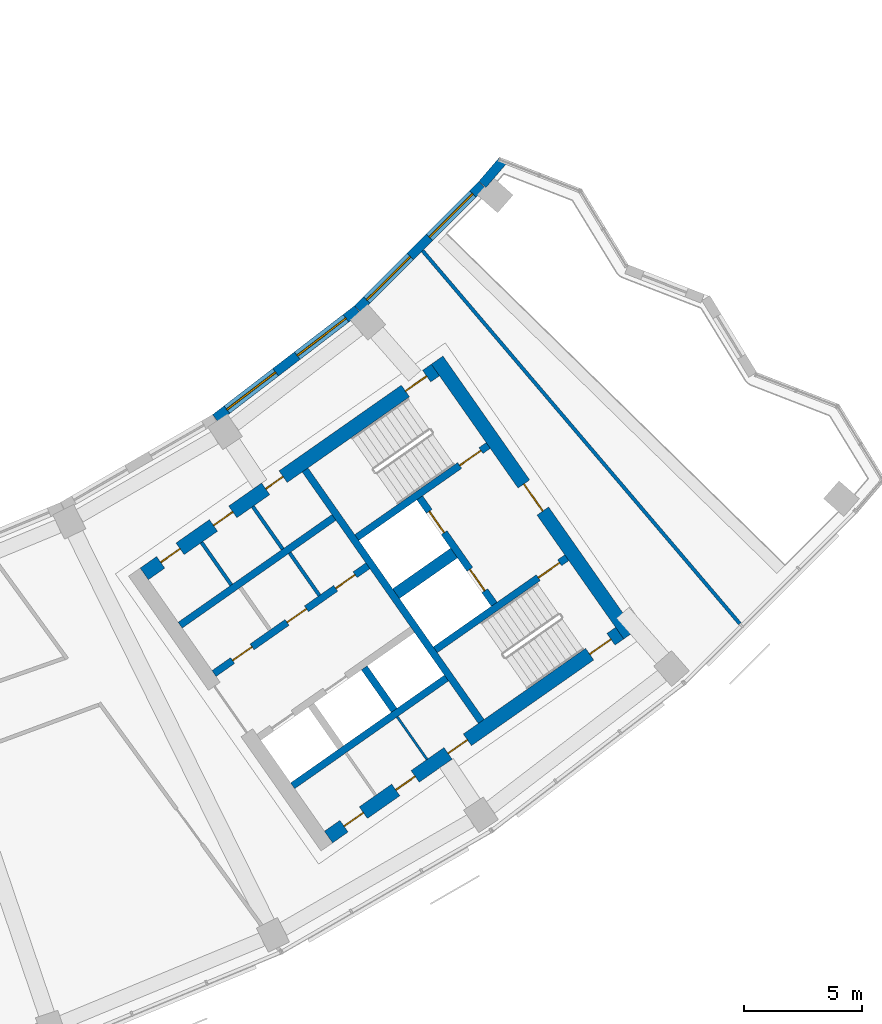
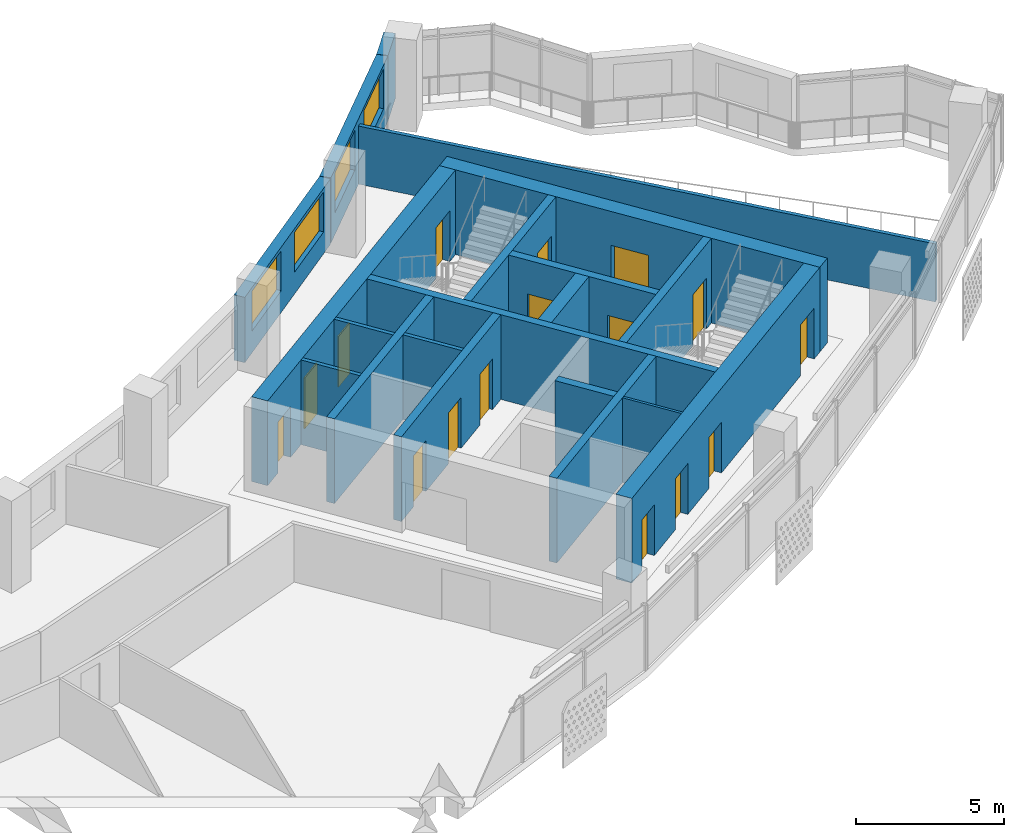
# One storey, part 7 of 29: 20 walls, 16 doors, 4 windows, 20 openings.
"""IFC4 building model written with IfcOpenShell, lengths in metres."""

from ifc_helpers import new_model, si_unit, direction, frame, frame_2d, origin, place, context, subcontext, project, spatial, rectangle, extrude, material, layer, layer_set, type_object, element, fill, save


model = new_model("IFC4")

# Units and contexts
model_context = context("Model", 3, precision=1e-05, world=origin(), true_north=direction((0.0, 1.0)))
body_context = subcontext(model_context, "Body", "Model", "MODEL_VIEW")
ifc_project = project(units=[si_unit("LENGTHUNIT", "METRE"), si_unit("AREAUNIT", "SQUARE_METRE"), si_unit("VOLUMEUNIT", "CUBIC_METRE"), si_unit("PLANEANGLEUNIT", "RADIAN"), si_unit("MASSUNIT", "GRAM", prefix="KILO")], contexts=[model_context])

# Site, building, storey
site_placement = place(None, origin())
site = spatial("IfcSite", under=ifc_project, at=site_placement, CompositionType="ELEMENT")
building_placement = place(site_placement, origin())
building = spatial("IfcBuilding", under=site, at=building_placement, Name="Qamariyya Broadcast Tower", CompositionType="ELEMENT")
storey_placement = place(building_placement, frame((0.0, 0.0, 207.5)))
storey = spatial("IfcBuildingStorey", under=building, at=storey_placement, Name="L49", CompositionType="ELEMENT", Elevation=207.5)

# Wall, opening, door
ifc_material_1 = material(Name="Concrete C60/75", Category="concrete")
ifc_layer_1 = layer(ifc_material_1, 0.60009765625)
ifc_layer_set_1 = layer_set([ifc_layer_1], Name="Core wall 600 mm Concrete C60/75")
wall_type_1 = type_object("IfcWallType", Name="Core wall 600 mm Concrete C60/75", PredefinedType="SHEAR", material=ifc_layer_set_1)
wall_1_placement = place(storey_placement, frame((49.4833984375, -57.031494140625, 0.0), z_axis=(0.0, 0.0, 1.0), x_axis=(-0.573560421458, 0.819163257805, 0.0)))
wall_1 = element("IfcWall", 1, at=wall_1_placement, inside=storey, type_object=wall_type_1, Name="k-E-L49-WH", PredefinedType="SHEAR", context=body_context, shape_type="SweptSolid", body=[
    extrude(rectangle(XDim=14.199951171875, YDim=0.60009765625, at=frame_2d((7.10009765625, 0.0))), origin(), (0.0, 0.0, 1.0), 3.5),
])
opening_1_placement = place(wall_1_placement, frame((6.39990234375, 0.0, 0.0)))
opening_1 = element("IfcOpeningElement", 2, at=opening_1_placement, cuts=wall_1, Name="Opening KD2-E1", PredefinedType="OPENING", context=body_context, shape_type="SweptSolid", body=[
    extrude(rectangle(XDim=1.39990234375, YDim=2.10009765625, at=frame_2d((0.699951171875, 1.050048828125))), frame((0.0, 0.31005859375, 0.0), z_axis=(0.0, -1.0, 0.0), x_axis=(1.0, 0.0, 0.0)), (0.0, 0.0, 1.0), 0.6201171875),
])
ifc_material_2 = material(Name="Steel fire-resisting door leaf", Category="steel")
door_type_1 = type_object("IfcDoorType", Name="Fire-fighting lobby door KD2", OperationType="DOUBLE_DOOR_SINGLE_SWING", PredefinedType="DOOR", material=ifc_material_2)
door_1_placement = place(opening_1_placement, origin())
door_1 = element("IfcDoor", 3, at=door_1_placement, inside=storey, type_object=door_type_1, Name="k-E-L49-WH-D15", OperationType="DOUBLE_DOOR_SINGLE_SWING", OverallHeight=2.10009765625, OverallWidth=1.39990234375, PredefinedType="DOOR", context=body_context, shape_type="SweptSolid", body=[
    extrude(rectangle(XDim=1.39990234375, YDim=2.10009765625, at=frame_2d((0.699951171875, 1.050048828125))), frame((0.0, 0.02490234375, 0.0), z_axis=(0.0, -1.0, 0.0), x_axis=(1.0, 0.0, 0.0)), (0.0, 0.0, 1.0), 0.050048828125),
])
fill(opening_1, door_1)

# Wall, openings, doors
wall_2_placement = place(storey_placement, frame((28.940673828125, -54.447021484375, 0.0), z_axis=(0.0, 0.0, 1.0), x_axis=(0.819153391756, 0.573574511963, 0.0)))
wall_2 = element("IfcWall", 4, at=wall_2_placement, inside=storey, type_object=wall_type_1, Name="k-E-L49-WI", PredefinedType="SHEAR", context=body_context, shape_type="SweptSolid", body=[
    extrude(rectangle(XDim=15.04541015625, YDim=0.60009765625, at=frame_2d((7.522705078125, 0.0))), origin(), (0.0, 0.0, 1.0), 3.5),
])
opening_2_placement = place(wall_2_placement, frame((0.85009765625, 0.0, 0.0)))
opening_2 = element("IfcOpeningElement", 5, at=opening_2_placement, cuts=wall_2, Name="Opening KD6-E3", PredefinedType="OPENING", context=body_context, shape_type="SweptSolid", body=[
    extrude(rectangle(XDim=1.0, YDim=2.10009765625, at=frame_2d((0.5, 1.050048828125))), frame((0.0, 0.31005859375, 0.0), z_axis=(0.0, -1.0, 0.0), x_axis=(1.0, 0.0, 0.0)), (0.0, 0.0, 1.0), 0.6201171875),
])
opening_3_placement = place(wall_2_placement, frame((3.574951171875, 0.0, 0.0)))
opening_3 = element("IfcOpeningElement", 6, at=opening_3_placement, cuts=wall_2, Name="Opening KD7-E1", PredefinedType="OPENING", context=body_context, shape_type="SweptSolid", body=[
    extrude(rectangle(XDim=1.0, YDim=2.10009765625, at=frame_2d((0.5, 1.050048828125))), frame((0.0, 0.31005859375, 0.0), z_axis=(0.0, -1.0, 0.0), x_axis=(1.0, 0.0, 0.0)), (0.0, 0.0, 1.0), 0.6201171875),
])
opening_4_placement = place(wall_2_placement, frame((6.27490234375, 0.0, 0.0)))
opening_4 = element("IfcOpeningElement", 7, at=opening_4_placement, cuts=wall_2, Name="Opening KD5-E1", PredefinedType="OPENING", context=body_context, shape_type="SweptSolid", body=[
    extrude(rectangle(XDim=0.89990234375, YDim=2.10009765625, at=frame_2d((0.449951171875, 1.050048828125))), frame((0.0, 0.31005859375, 0.0), z_axis=(0.0, -1.0, 0.0), x_axis=(1.0, 0.0, 0.0)), (0.0, 0.0, 1.0), 0.6201171875),
])
opening_5_placement = place(wall_2_placement, frame((13.495361328125, 0.0, 0.0)))
opening_5 = element("IfcOpeningElement", 8, at=opening_5_placement, cuts=wall_2, Name="Opening KD1-E1", PredefinedType="OPENING", context=body_context, shape_type="SweptSolid", body=[
    extrude(rectangle(XDim=1.10009765625, YDim=2.10009765625, at=frame_2d((0.550048828125, 1.050048828125))), frame((0.0, 0.31005859375, 0.0), z_axis=(0.0, -1.0, 0.0), x_axis=(1.0, 0.0, 0.0)), (0.0, 0.0, 1.0), 0.6201171875),
])
door_type_2 = type_object("IfcDoorType", Name="Accessible toilet door KD7", OperationType="SINGLE_SWING_LEFT", PredefinedType="DOOR", material=ifc_material_2)
door_2_placement = place(opening_3_placement, origin())
door_2 = element("IfcDoor", 9, at=door_2_placement, inside=storey, type_object=door_type_2, Name="k-E-L49-WI-D8", OperationType="SINGLE_SWING_RIGHT", OverallHeight=2.10009765625, OverallWidth=1.0, PredefinedType="DOOR", context=body_context, shape_type="SweptSolid", body=[
    extrude(rectangle(XDim=1.0, YDim=2.10009765625, at=frame_2d((0.5, 1.050048828125))), frame((0.0, 0.02490234375, 0.0), z_axis=(0.0, -1.0, 0.0), x_axis=(1.0, 0.0, 0.0)), (0.0, 0.0, 1.0), 0.050048828125),
])
fill(opening_3, door_2)
door_type_3 = type_object("IfcDoorType", Name="Core room door KD6", OperationType="SINGLE_SWING_LEFT", PredefinedType="DOOR", material=ifc_material_2)
door_3_placement = place(opening_2_placement, origin())
door_3 = element("IfcDoor", 10, at=door_3_placement, inside=storey, type_object=door_type_3, Name="k-E-L49-WI-D7", OperationType="SINGLE_SWING_LEFT", OverallHeight=2.10009765625, OverallWidth=1.0, PredefinedType="DOOR", context=body_context, shape_type="SweptSolid", body=[
    extrude(rectangle(XDim=1.0, YDim=2.10009765625, at=frame_2d((0.5, 1.050048828125))), frame((0.0, 0.02490234375, 0.0), z_axis=(0.0, -1.0, 0.0), x_axis=(1.0, 0.0, 0.0)), (0.0, 0.0, 1.0), 0.050048828125),
])
fill(opening_2, door_3)
door_type_4 = type_object("IfcDoorType", Name="Stair door KD1", OperationType="SINGLE_SWING_LEFT", PredefinedType="DOOR", material=ifc_material_2)
door_4_placement = place(opening_5_placement, origin())
door_4 = element("IfcDoor", 11, at=door_4_placement, inside=storey, type_object=door_type_4, Name="k-E-L49-WI-D16", OperationType="SINGLE_SWING_RIGHT", OverallHeight=2.10009765625, OverallWidth=1.10009765625, PredefinedType="DOOR", context=body_context, shape_type="SweptSolid", body=[
    extrude(rectangle(XDim=1.10009765625, YDim=2.10009765625, at=frame_2d((0.550048828125, 1.050048828125))), frame((0.0, 0.02490234375, 0.0), z_axis=(0.0, -1.0, 0.0), x_axis=(1.0, 0.0, 0.0)), (0.0, 0.0, 1.0), 0.050048828125),
])
fill(opening_5, door_4)
door_type_5 = type_object("IfcDoorType", Name="Toilet door KD5", OperationType="SINGLE_SWING_LEFT", PredefinedType="DOOR", material=ifc_material_2)
door_5_placement = place(opening_4_placement, origin())
door_5 = element("IfcDoor", 12, at=door_5_placement, inside=storey, type_object=door_type_5, Name="k-E-L49-WI-D9", OperationType="SINGLE_SWING_LEFT", OverallHeight=2.10009765625, OverallWidth=0.89990234375, PredefinedType="DOOR", context=body_context, shape_type="SweptSolid", body=[
    extrude(rectangle(XDim=0.89990234375, YDim=2.10009765625, at=frame_2d((0.449951171875, 1.050048828125))), frame((0.0, 0.02490234375, 0.0), z_axis=(0.0, -1.0, 0.0), x_axis=(1.0, 0.0, 0.0)), (0.0, 0.0, 1.0), 0.050048828125),
])
fill(opening_4, door_5)

wall_3_placement = place(storey_placement, frame((36.7412109375, -65.58740234375, 0.0), z_axis=(0.0, 0.0, 1.0), x_axis=(0.819153391756, 0.573574511963, 0.0)))
wall_3 = element("IfcWall", 13, at=wall_3_placement, inside=storey, type_object=wall_type_1, Name="k-E-L49-WO", PredefinedType="SHEAR", context=body_context, shape_type="SweptSolid", body=[
    extrude(rectangle(XDim=15.04541015625, YDim=0.60009765625, at=frame_2d((7.522705078125, 0.0))), origin(), (0.0, 0.0, 1.0), 3.5),
])
opening_6_placement = place(wall_3_placement, frame((0.800048828125, 0.0, 0.0)))
opening_6 = element("IfcOpeningElement", 14, at=opening_6_placement, cuts=wall_3, Name="Opening KD4-E2", PredefinedType="OPENING", context=body_context, shape_type="SweptSolid", body=[
    extrude(rectangle(XDim=1.0, YDim=2.10009765625, at=frame_2d((0.5, 1.050048828125))), frame((0.0, 0.31005859375, 0.0), z_axis=(0.0, -1.0, 0.0), x_axis=(1.0, 0.0, 0.0)), (0.0, 0.0, 1.0), 0.6201171875),
])
opening_7_placement = place(wall_3_placement, frame((3.47509765625, 0.0, 0.0)))
opening_7 = element("IfcOpeningElement", 15, at=opening_7_placement, cuts=wall_3, Name="Opening KD4-E3", PredefinedType="OPENING", context=body_context, shape_type="SweptSolid", body=[
    extrude(rectangle(XDim=1.0, YDim=2.10009765625, at=frame_2d((0.5, 1.050048828125))), frame((0.0, 0.31005859375, 0.0), z_axis=(0.0, -1.0, 0.0), x_axis=(1.0, 0.0, 0.0)), (0.0, 0.0, 1.0), 0.6201171875),
])
opening_8_placement = place(wall_3_placement, frame((6.175048828125, 0.0, 0.0)))
opening_8 = element("IfcOpeningElement", 16, at=opening_8_placement, cuts=wall_3, Name="Opening KD4-E4", PredefinedType="OPENING", context=body_context, shape_type="SweptSolid", body=[
    extrude(rectangle(XDim=1.0, YDim=2.10009765625, at=frame_2d((0.5, 1.050048828125))), frame((0.0, 0.31005859375, 0.0), z_axis=(0.0, -1.0, 0.0), x_axis=(1.0, 0.0, 0.0)), (0.0, 0.0, 1.0), 0.6201171875),
])
opening_9_placement = place(wall_3_placement, frame((13.495361328125, 0.0, 0.0)))
opening_9 = element("IfcOpeningElement", 17, at=opening_9_placement, cuts=wall_3, Name="Opening KD1-E3", PredefinedType="OPENING", context=body_context, shape_type="SweptSolid", body=[
    extrude(rectangle(XDim=1.10009765625, YDim=2.10009765625, at=frame_2d((0.550048828125, 1.050048828125))), frame((0.0, 0.31005859375, 0.0), z_axis=(0.0, -1.0, 0.0), x_axis=(1.0, 0.0, 0.0)), (0.0, 0.0, 1.0), 0.6201171875),
])
door_type_6 = type_object("IfcDoorType", Name="Riser and plant door KD4", OperationType="SINGLE_SWING_LEFT", PredefinedType="DOOR", material=ifc_material_2)
door_6_placement = place(opening_6_placement, origin())
door_6 = element("IfcDoor", 18, at=door_6_placement, inside=storey, type_object=door_type_6, Name="k-E-L49-WO-D10", OperationType="SINGLE_SWING_RIGHT", OverallHeight=2.10009765625, OverallWidth=1.0, PredefinedType="DOOR", context=body_context, shape_type="SweptSolid", body=[
    extrude(rectangle(XDim=1.0, YDim=2.10009765625, at=frame_2d((0.5, 1.050048828125))), frame((0.0, 0.02490234375, 0.0), z_axis=(0.0, -1.0, 0.0), x_axis=(1.0, 0.0, 0.0)), (0.0, 0.0, 1.0), 0.050048828125),
])
fill(opening_6, door_6)
door_7_placement = place(opening_7_placement, origin())
door_7 = element("IfcDoor", 19, at=door_7_placement, inside=storey, type_object=door_type_6, Name="k-E-L49-WO-D11", OperationType="SINGLE_SWING_LEFT", OverallHeight=2.10009765625, OverallWidth=1.0, PredefinedType="DOOR", context=body_context, shape_type="SweptSolid", body=[
    extrude(rectangle(XDim=1.0, YDim=2.10009765625, at=frame_2d((0.5, 1.050048828125))), frame((0.0, 0.02490234375, 0.0), z_axis=(0.0, -1.0, 0.0), x_axis=(1.0, 0.0, 0.0)), (0.0, 0.0, 1.0), 0.050048828125),
])
fill(opening_7, door_7)
door_8_placement = place(opening_8_placement, origin())
door_8 = element("IfcDoor", 20, at=door_8_placement, inside=storey, type_object=door_type_6, Name="k-E-L49-WO-D12", OperationType="SINGLE_SWING_RIGHT", OverallHeight=2.10009765625, OverallWidth=1.0, PredefinedType="DOOR", context=body_context, shape_type="SweptSolid", body=[
    extrude(rectangle(XDim=1.0, YDim=2.10009765625, at=frame_2d((0.5, 1.050048828125))), frame((0.0, 0.02490234375, 0.0), z_axis=(0.0, -1.0, 0.0), x_axis=(1.0, 0.0, 0.0)), (0.0, 0.0, 1.0), 0.050048828125),
])
fill(opening_8, door_8)
door_9_placement = place(opening_9_placement, origin())
door_9 = element("IfcDoor", 21, at=door_9_placement, inside=storey, type_object=door_type_4, Name="k-E-L49-WO-D18", OperationType="SINGLE_SWING_LEFT", OverallHeight=2.10009765625, OverallWidth=1.10009765625, PredefinedType="DOOR", context=body_context, shape_type="SweptSolid", body=[
    extrude(rectangle(XDim=1.10009765625, YDim=2.10009765625, at=frame_2d((0.550048828125, 1.050048828125))), frame((0.0, 0.02490234375, 0.0), z_axis=(0.0, -1.0, 0.0), x_axis=(1.0, 0.0, 0.0)), (0.0, 0.0, 1.0), 0.050048828125),
])
fill(opening_9, door_9)

# Walls
ifc_material_3 = material(Name="Gypsum board partition")
ifc_layer_2 = layer(ifc_material_3, 0.14990234375)
ifc_layer_set_2 = layer_set([ifc_layer_2], Name="Corridor partition 150 EI 60")
wall_type_2 = type_object("IfcWallType", Name="Corridor partition 150 EI 60", PredefinedType="PARTITIONING", material=ifc_layer_set_2)
wall_4_placement = place(storey_placement, frame((40.724853515625, -40.7705078125, 0.0), z_axis=(0.0, 0.0, 1.0), x_axis=(0.647962636986, -0.761672121762, 0.0)))
element("IfcWall", 22, at=wall_4_placement, inside=storey, type_object=wall_type_2, Name="Partition L49-031", PredefinedType="PARTITIONING", context=body_context, shape_type="SweptSolid", body=[
    extrude(rectangle(XDim=20.723388671875, YDim=0.14990234375, at=frame_2d((10.36181640625, 0.0))), origin(), (0.0, 0.0, 1.0), 2.39990234375),
])
ifc_layer_3 = layer(ifc_material_1, 0.5)
ifc_layer_set_3 = layer_set([ifc_layer_3], Name="Fire-fighting lobby divider wall 500 mm Concrete C60/75")
wall_type_3 = type_object("IfcWallType", Name="Fire-fighting lobby divider wall 500 mm Concrete C60/75", PredefinedType="SOLIDWALL", material=ifc_layer_set_3)
wall_5_placement = place(storey_placement, frame((39.59912109375, -55.28515625, 0.0), z_axis=(0.0, 0.0, 1.0), x_axis=(0.819136323161, 0.573598887793, 0.0)))
element("IfcWall", 23, at=wall_5_placement, inside=storey, type_object=wall_type_3, Name="k-E-L49-FD", PredefinedType="SOLIDWALL", context=body_context, shape_type="SweptSolid", body=[
    extrude(rectangle(XDim=2.999755859375, YDim=0.5, at=frame_2d((1.5, 0.0))), origin(), (0.0, 0.0, 1.0), 3.5),
])
ifc_material_4 = material(Name="Gypsum board partition on steel studs", Category="steel")
ifc_layer_4 = layer(ifc_material_4, 0.14990234375)
ifc_layer_set_4 = layer_set([ifc_layer_4], Name="Gypsum board partition 150 mm")
wall_type_4 = type_object("IfcWallType", Name="Gypsum board partition 150 mm", PredefinedType="PARTITIONING", material=ifc_layer_set_4)
wall_6_placement = place(storey_placement, frame((36.35498046875, -55.359375, 0.0), z_axis=(0.0, 0.0, 1.0), x_axis=(-0.573581496053, 0.819148501424, 0.0)))
element("IfcWall", 24, at=wall_6_placement, inside=storey, type_object=wall_type_4, Name="k-E-L49-NC555", PredefinedType="PARTITIONING", context=body_context, shape_type="SweptSolid", body=[
    extrude(rectangle(XDim=2.2001953125, YDim=0.14990234375, at=frame_2d((1.10009765625, 0.0))), origin(), (0.0, 0.0, 1.0), 3.5),
])
for number, where, z_axis, x_axis, name in (
    (25, (32.627197265625, -54.91748046875, 0.0), (0.0, 0.0, 1.0), (-0.573507030513, 0.819200638399, 0.0), "k-E-L49-NP275"),
    (26, (34.798095703125, -53.3974609375, 0.0), (0.0, 0.0, 1.0), (-0.573633636671, 0.819111989218, 0.0), "k-E-L49-NP540"),
):
    element("IfcWall", number, at=place(storey_placement, frame(where, z_axis=z_axis, x_axis=x_axis)), inside=storey, type_object=wall_type_4, Name=name, PredefinedType="PARTITIONING", context=body_context, shape_type="SweptSolid", body=[
        extrude(rectangle(XDim=2.199951171875, YDim=0.14990234375, at=frame_2d((1.10009765625, 0.0))), origin(), (0.0, 0.0, 1.0), 3.5),
    ])
ifc_layer_5 = layer(ifc_material_1, 0.300048828125)
ifc_layer_set_5 = layer_set([ifc_layer_5], Name="Lift shaft wall 300 mm Concrete C60/75")
wall_type_5 = type_object("IfcWallType", Name="Lift shaft wall 300 mm Concrete C60/75", PredefinedType="SOLIDWALL", material=ifc_layer_set_5)
wall_7_placement = place(storey_placement, frame((43.204345703125, -60.69580078125, 0.0), z_axis=(0.0, 0.0, 1.0), x_axis=(-0.573571992966, 0.819155155563, 0.0)))
element("IfcWall", 27, at=wall_7_placement, inside=storey, type_object=wall_type_5, Name="k-E-L49-WL", PredefinedType="SOLIDWALL", context=body_context, shape_type="SweptSolid", body=[
    extrude(rectangle(XDim=13.000244140625, YDim=0.300048828125, at=frame_2d((6.5, 0.0))), origin(), (0.0, 0.0, 1.0), 3.5),
])

# Wall, openings, doors
wall_8_placement = place(storey_placement, frame((31.89453125, -58.66552734375, 0.0), z_axis=(0.0, 0.0, 1.0), x_axis=(0.819166993208, 0.573555086491, 0.0)))
wall_8 = element("IfcWall", 28, at=wall_8_placement, inside=storey, type_object=wall_type_5, Name="k-E-L49-NF0", PredefinedType="SOLIDWALL", context=body_context, shape_type="SweptSolid", body=[
    extrude(rectangle(XDim=7.9501953125, YDim=0.300048828125, at=frame_2d((3.97509765625, 0.0))), origin(), (0.0, 0.0, 1.0), 3.5),
])
opening_10_placement = place(wall_8_placement, frame((0.96240234375, 0.0, 0.0)))
opening_10 = element("IfcOpeningElement", 29, at=opening_10_placement, cuts=wall_8, Name="Opening KD4-E1", PredefinedType="OPENING", context=body_context, shape_type="SweptSolid", body=[
    extrude(rectangle(XDim=1.0, YDim=2.10009765625, at=frame_2d((0.5, 1.050048828125))), frame((0.0, 0.159912109375, 0.0), z_axis=(0.0, -1.0, 0.0), x_axis=(1.0, 0.0, 0.0)), (0.0, 0.0, 1.0), 0.320068359375),
])
opening_11_placement = place(wall_8_placement, frame((3.77490234375, 0.0, 0.0)))
opening_11 = element("IfcOpeningElement", 30, at=opening_11_placement, cuts=wall_8, Name="Opening KD6-E1", PredefinedType="OPENING", context=body_context, shape_type="SweptSolid", body=[
    extrude(rectangle(XDim=1.0, YDim=2.10009765625, at=frame_2d((0.5, 1.050048828125))), frame((0.0, 0.159912109375, 0.0), z_axis=(0.0, -1.0, 0.0), x_axis=(1.0, 0.0, 0.0)), (0.0, 0.0, 1.0), 0.320068359375),
])
opening_12_placement = place(wall_8_placement, frame((6.28759765625, 0.0, 0.0)))
opening_12 = element("IfcOpeningElement", 31, at=opening_12_placement, cuts=wall_8, Name="Opening KD6-E2", PredefinedType="OPENING", context=body_context, shape_type="SweptSolid", body=[
    extrude(rectangle(XDim=1.0, YDim=2.10009765625, at=frame_2d((0.5, 1.050048828125))), frame((0.0, 0.159912109375, 0.0), z_axis=(0.0, -1.0, 0.0), x_axis=(1.0, 0.0, 0.0)), (0.0, 0.0, 1.0), 0.320068359375),
])
door_10_placement = place(opening_11_placement, origin())
door_10 = element("IfcDoor", 32, at=door_10_placement, inside=storey, type_object=door_type_3, Name="k-E-L49-NF0-D3", OperationType="SINGLE_SWING_LEFT", OverallHeight=2.10009765625, OverallWidth=1.0, PredefinedType="DOOR", context=body_context, shape_type="SweptSolid", body=[
    extrude(rectangle(XDim=1.0, YDim=2.10009765625, at=frame_2d((0.5, 1.050048828125))), frame((0.0, 0.02490234375, 0.0), z_axis=(0.0, -1.0, 0.0), x_axis=(1.0, 0.0, 0.0)), (0.0, 0.0, 1.0), 0.050048828125),
])
fill(opening_11, door_10)
door_11_placement = place(opening_12_placement, origin())
door_11 = element("IfcDoor", 33, at=door_11_placement, inside=storey, type_object=door_type_3, Name="k-E-L49-NF0-D4", OperationType="SINGLE_SWING_RIGHT", OverallHeight=2.10009765625, OverallWidth=1.0, PredefinedType="DOOR", context=body_context, shape_type="SweptSolid", body=[
    extrude(rectangle(XDim=1.0, YDim=2.10009765625, at=frame_2d((0.5, 1.050048828125))), frame((0.0, 0.02490234375, 0.0), z_axis=(0.0, -1.0, 0.0), x_axis=(1.0, 0.0, 0.0)), (0.0, 0.0, 1.0), 0.050048828125),
])
fill(opening_12, door_11)
door_12_placement = place(opening_10_placement, origin())
door_12 = element("IfcDoor", 34, at=door_12_placement, inside=storey, type_object=door_type_6, Name="k-E-L49-NF0-D2", OperationType="SINGLE_SWING_RIGHT", OverallHeight=2.10009765625, OverallWidth=1.0, PredefinedType="DOOR", context=body_context, shape_type="SweptSolid", body=[
    extrude(rectangle(XDim=1.0, YDim=2.10009765625, at=frame_2d((0.5, 1.050048828125))), frame((0.0, 0.02490234375, 0.0), z_axis=(0.0, -1.0, 0.0), x_axis=(1.0, 0.0, 0.0)), (0.0, 0.0, 1.0), 0.050048828125),
])
fill(opening_10, door_12)

# Walls
wall_9_placement = place(storey_placement, frame((30.460693359375, -56.61767578125, 0.0), z_axis=(0.0, 0.0, 1.0), x_axis=(0.819142461705, 0.573590121456, 0.0)))
element("IfcWall", 35, at=wall_9_placement, inside=storey, type_object=wall_type_5, Name="k-E-L49-NB0", PredefinedType="SOLIDWALL", context=body_context, shape_type="SweptSolid", body=[
    extrude(rectangle(XDim=7.949951171875, YDim=0.300048828125, at=frame_2d((3.97509765625, 0.0))), origin(), (0.0, 0.0, 1.0), 3.5),
])
wall_10_placement = place(storey_placement, frame((35.22119140625, -63.41650390625, 0.0), z_axis=(0.0, 0.0, 1.0), x_axis=(0.819166993208, 0.573555086491, 0.0)))
element("IfcWall", 36, at=wall_10_placement, inside=storey, type_object=wall_type_5, Name="k-E-L49-SB0", PredefinedType="SOLIDWALL", context=body_context, shape_type="SweptSolid", body=[
    extrude(rectangle(XDim=7.9501953125, YDim=0.300048828125, at=frame_2d((3.97509765625, 0.0))), origin(), (0.0, 0.0, 1.0), 3.5),
])
wall_11_placement = place(storey_placement, frame((38.255859375, -58.423095703125, 0.0), z_axis=(0.0, 0.0, 1.0), x_axis=(0.573633636671, -0.819111989218, 0.0)))
element("IfcWall", 37, at=wall_11_placement, inside=storey, type_object=wall_type_5, Name="k-E-L49-SD1", PredefinedType="SOLIDWALL", context=body_context, shape_type="SweptSolid", body=[
    extrude(rectangle(XDim=2.199951171875, YDim=0.300048828125, at=frame_2d((1.10009765625, 0.0))), origin(), (0.0, 0.0, 1.0), 3.5),
])

# Wall, opening, door
wall_12_placement = place(storey_placement, frame((37.935546875, -52.90966796875, 0.0), z_axis=(0.0, 0.0, 1.0), x_axis=(0.819147518138, 0.57358290031, 0.0)))
wall_12 = element("IfcWall", 38, at=wall_12_placement, inside=storey, type_object=wall_type_5, Name="k-E-L49-NW", PredefinedType="SOLIDWALL", context=body_context, shape_type="SweptSolid", body=[
    extrude(rectangle(XDim=6.79541015625, YDim=0.300048828125, at=frame_2d((3.397705078125, 0.0))), origin(), (0.0, 0.0, 1.0), 3.5),
])
opening_13_placement = place(wall_12_placement, frame((5.3203125, 0.0, 0.0)))
opening_13 = element("IfcOpeningElement", 39, at=opening_13_placement, cuts=wall_12, Name="Opening KD1-E2", PredefinedType="OPENING", context=body_context, shape_type="SweptSolid", body=[
    extrude(rectangle(XDim=1.10009765625, YDim=2.10009765625, at=frame_2d((0.550048828125, 1.050048828125))), frame((0.0, 0.159912109375, 0.0), z_axis=(0.0, -1.0, 0.0), x_axis=(1.0, 0.0, 0.0)), (0.0, 0.0, 1.0), 0.320068359375),
])
door_13_placement = place(opening_13_placement, origin())
door_13 = element("IfcDoor", 40, at=door_13_placement, inside=storey, type_object=door_type_4, Name="k-E-L49-NW-D17", OperationType="SINGLE_SWING_LEFT", OverallHeight=2.10009765625, OverallWidth=1.10009765625, PredefinedType="DOOR", context=body_context, shape_type="SweptSolid", body=[
    extrude(rectangle(XDim=1.10009765625, YDim=2.10009765625, at=frame_2d((0.550048828125, 1.050048828125))), frame((0.0, 0.02490234375, 0.0), z_axis=(0.0, -1.0, 0.0), x_axis=(1.0, 0.0, 0.0)), (0.0, 0.0, 1.0), 0.050048828125),
])
fill(opening_13, door_13)

wall_13_placement = place(storey_placement, frame((41.262451171875, -57.66064453125, 0.0), z_axis=(0.0, 0.0, 1.0), x_axis=(0.819164398642, 0.573558792102, 0.0)))
wall_13 = element("IfcWall", 41, at=wall_13_placement, inside=storey, type_object=wall_type_5, Name="k-E-L49-SW", PredefinedType="SOLIDWALL", context=body_context, shape_type="SweptSolid", body=[
    extrude(rectangle(XDim=6.795166015625, YDim=0.300048828125, at=frame_2d((3.3974609375, 0.0))), origin(), (0.0, 0.0, 1.0), 3.5),
])
opening_14_placement = place(wall_13_placement, frame((5.3203125, 0.0, 0.0)))
opening_14 = element("IfcOpeningElement", 42, at=opening_14_placement, cuts=wall_13, Name="Opening KD1-E4", PredefinedType="OPENING", context=body_context, shape_type="SweptSolid", body=[
    extrude(rectangle(XDim=1.10009765625, YDim=2.10009765625, at=frame_2d((0.550048828125, 1.050048828125))), frame((0.0, 0.159912109375, 0.0), z_axis=(0.0, -1.0, 0.0), x_axis=(1.0, 0.0, 0.0)), (0.0, 0.0, 1.0), 0.320068359375),
])
door_14_placement = place(opening_14_placement, origin())
door_14 = element("IfcDoor", 43, at=door_14_placement, inside=storey, type_object=door_type_4, Name="k-E-L49-SW-D19", OperationType="SINGLE_SWING_LEFT", OverallHeight=2.10009765625, OverallWidth=1.10009765625, PredefinedType="DOOR", context=body_context, shape_type="SweptSolid", body=[
    extrude(rectangle(XDim=1.10009765625, YDim=2.10009765625, at=frame_2d((0.550048828125, 1.050048828125))), frame((0.0, 0.02490234375, 0.0), z_axis=(0.0, -1.0, 0.0), x_axis=(1.0, 0.0, 0.0)), (0.0, 0.0, 1.0), 0.050048828125),
])
fill(opening_14, door_14)

# Wall, openings, doors
wall_14_placement = place(storey_placement, frame((43.756591796875, -55.731201171875, 0.0), z_axis=(0.0, 0.0, 1.0), x_axis=(-0.573536818435, 0.819179783625, 0.0)))
wall_14 = element("IfcWall", 44, at=wall_14_placement, inside=storey, type_object=wall_type_5, Name="k-E-L49-FF", PredefinedType="SOLIDWALL", context=body_context, shape_type="SweptSolid", body=[
    extrude(rectangle(XDim=5.500244140625, YDim=0.300048828125, at=frame_2d((2.75, 0.0))), origin(), (0.0, 0.0, 1.0), 3.5),
])
opening_15_placement = place(wall_14_placement, frame((0.699951171875, 0.0, 0.0)))
opening_15 = element("IfcOpeningElement", 45, at=opening_15_placement, cuts=wall_14, Name="Opening LD", PredefinedType="OPENING", context=body_context, shape_type="SweptSolid", body=[
    extrude(rectangle(XDim=1.10009765625, YDim=2.10009765625, at=frame_2d((0.550048828125, 1.050048828125))), frame((0.0, 0.159912109375, 0.0), z_axis=(0.0, -1.0, 0.0), x_axis=(1.0, 0.0, 0.0)), (0.0, 0.0, 1.0), 0.320068359375),
])
opening_16_placement = place(wall_14_placement, frame((3.699951171875, 0.0, 0.0)))
opening_16 = element("IfcOpeningElement", 46, at=opening_16_placement, cuts=wall_14, Name="Opening LD", PredefinedType="OPENING", context=body_context, shape_type="SweptSolid", body=[
    extrude(rectangle(XDim=1.10009765625, YDim=2.10009765625, at=frame_2d((0.550048828125, 1.050048828125))), frame((0.0, 0.159912109375, 0.0), z_axis=(0.0, -1.0, 0.0), x_axis=(1.0, 0.0, 0.0)), (0.0, 0.0, 1.0), 0.320068359375),
])
door_type_7 = type_object("IfcDoorType", Name="Lift landing door LD", OperationType="DOUBLE_DOOR_SLIDING", PredefinedType="DOOR", material=ifc_material_2)
door_15_placement = place(opening_15_placement, origin())
door_15 = element("IfcDoor", 47, at=door_15_placement, inside=storey, type_object=door_type_7, Name="k-E-L49-FF-D13", OperationType="DOUBLE_DOOR_SLIDING", OverallHeight=2.10009765625, OverallWidth=1.10009765625, PredefinedType="DOOR", context=body_context, shape_type="SweptSolid", body=[
    extrude(rectangle(XDim=1.10009765625, YDim=2.10009765625, at=frame_2d((0.550048828125, 1.050048828125))), frame((0.0, 0.02490234375, 0.0), z_axis=(0.0, -1.0, 0.0), x_axis=(1.0, 0.0, 0.0)), (0.0, 0.0, 1.0), 0.050048828125),
])
fill(opening_15, door_15)
door_16_placement = place(opening_16_placement, origin())
door_16 = element("IfcDoor", 48, at=door_16_placement, inside=storey, type_object=door_type_7, Name="k-E-L49-FF-D14", OperationType="DOUBLE_DOOR_SLIDING", OverallHeight=2.10009765625, OverallWidth=1.10009765625, PredefinedType="DOOR", context=body_context, shape_type="SweptSolid", body=[
    extrude(rectangle(XDim=1.10009765625, YDim=2.10009765625, at=frame_2d((0.550048828125, 1.050048828125))), frame((0.0, 0.02490234375, 0.0), z_axis=(0.0, -1.0, 0.0), x_axis=(1.0, 0.0, 0.0)), (0.0, 0.0, 1.0), 0.050048828125),
])
fill(opening_16, door_16)

# Wall
ifc_material_5 = material(Name="Fire-rated gypsum shaft liner on steel studs", Category="steel")
ifc_layer_6 = layer(ifc_material_5, 0.10009765625)
ifc_layer_set_6 = layer_set([ifc_layer_6], Name="Riser wall 100 mm")
wall_type_6 = type_object("IfcWallType", Name="Riser wall 100 mm", PredefinedType="PLUMBINGWALL", material=ifc_layer_set_6)
wall_15_placement = place(storey_placement, frame((39.64892578125, -60.49951171875, 0.0), z_axis=(0.0, 0.0, 1.0), x_axis=(0.573507030513, -0.819200638399, 0.0)))
element("IfcWall", 49, at=wall_15_placement, inside=storey, type_object=wall_type_6, Name="k-E-L49-SP530", PredefinedType="PLUMBINGWALL", context=body_context, shape_type="SweptSolid", body=[
    extrude(rectangle(XDim=2.199951171875, YDim=0.10009765625, at=frame_2d((1.10009765625, 0.0))), origin(), (0.0, 0.0, 1.0), 3.5),
])

# Wall, openings, windows
ifc_material_6 = material(Name="Terracotta", Category="masonry")
ifc_layer_7 = layer(ifc_material_6, 0.39990234375)
ifc_layer_set_7 = layer_set([ifc_layer_7], Name="Terracotta clad wall 400")
wall_type_7 = type_object("IfcWallType", Name="Terracotta clad wall 400", PredefinedType="SOLIDWALL", material=ifc_layer_set_7)
wall_16_placement = place(storey_placement, frame((37.965576171875, -43.25341796875, 0.0), z_axis=(0.0, 0.0, 1.0), x_axis=(-0.793356365089, -0.608757486995, 0.0)))
wall_16 = element("IfcWall", 50, at=wall_16_placement, inside=storey, type_object=wall_type_7, Name="e-wl-L49-in130", PredefinedType="SOLIDWALL", context=body_context, shape_type="SweptSolid", body=[
    extrude(rectangle(XDim=7.578125, YDim=0.39990234375, at=frame_2d((3.7890625, 0.0))), origin(), (0.0, 0.0, 1.0), 2.699951171875),
])
opening_17_placement = place(wall_16_placement, frame((4.364501953125, 0.0, 0.89990234375)))
opening_17 = element("IfcOpeningElement", 51, at=opening_17_placement, cuts=wall_16, Name="Opening W1", PredefinedType="OPENING", context=body_context, shape_type="SweptSolid", body=[
    extrude(rectangle(XDim=2.60009765625, YDim=1.64990234375, at=frame_2d((1.300048828125, 0.824951171875))), frame((0.0, 0.2099609375, 0.0), z_axis=(0.0, -1.0, 0.0), x_axis=(1.0, 0.0, 0.0)), (0.0, 0.0, 1.0), 0.419921875),
])
opening_18_placement = place(wall_16_placement, frame((0.613525390625, 0.0, 0.89990234375)))
opening_18 = element("IfcOpeningElement", 52, at=opening_18_placement, cuts=wall_16, Name="Opening W1", PredefinedType="OPENING", context=body_context, shape_type="SweptSolid", body=[
    extrude(rectangle(XDim=2.60009765625, YDim=1.64990234375, at=frame_2d((1.300048828125, 0.824951171875))), frame((0.0, 0.2099609375, 0.0), z_axis=(0.0, -1.0, 0.0), x_axis=(1.0, 0.0, 0.0)), (0.0, 0.0, 1.0), 0.419921875),
])
ifc_material_7 = material(Name="Clear low-e double glazed unit in aluminium frame", Category="aluminium")
window_type = type_object("IfcWindowType", Name="Ribbon window 2600 x 1650", PartitioningType="SINGLE_PANEL", PredefinedType="WINDOW", material=ifc_material_7)
window_1_placement = place(opening_17_placement, origin())
window_1 = element("IfcWindow", 53, at=window_1_placement, inside=storey, type_object=window_type, Name="e-w-L49-in13-0", OverallHeight=1.64990234375, OverallWidth=2.60009765625, PartitioningType="SINGLE_PANEL", PredefinedType="WINDOW", context=body_context, shape_type="SweptSolid", body=[
    extrude(rectangle(XDim=2.60009765625, YDim=1.64990234375, at=frame_2d((1.300048828125, 0.824951171875))), frame((0.0, 0.030029296875, 0.0), z_axis=(0.0, -1.0, 0.0), x_axis=(1.0, 0.0, 0.0)), (0.0, 0.0, 1.0), 0.06005859375),
])
fill(opening_17, window_1)
window_2_placement = place(opening_18_placement, origin())
window_2 = element("IfcWindow", 54, at=window_2_placement, inside=storey, type_object=window_type, Name="e-w-L49-in13-1", OverallHeight=1.64990234375, OverallWidth=2.60009765625, PartitioningType="SINGLE_PANEL", PredefinedType="WINDOW", context=body_context, shape_type="SweptSolid", body=[
    extrude(rectangle(XDim=2.60009765625, YDim=1.64990234375, at=frame_2d((1.300048828125, 0.824951171875))), frame((0.0, 0.030029296875, 0.0), z_axis=(0.0, -1.0, 0.0), x_axis=(1.0, 0.0, 0.0)), (0.0, 0.0, 1.0), 0.06005859375),
])
fill(opening_18, window_2)

wall_17_placement = place(storey_placement, frame((43.243408203125, -37.970703125, 0.0), z_axis=(0.0, 0.0, 1.0), x_axis=(-0.707090377471, -0.707123184522, 0.0)))
wall_17 = element("IfcWall", 55, at=wall_17_placement, inside=storey, type_object=wall_type_7, Name="e-wl-L49-in140", PredefinedType="SOLIDWALL", context=body_context, shape_type="SweptSolid", body=[
    extrude(rectangle(XDim=7.441650390625, YDim=0.39990234375, at=frame_2d((3.720703125, 0.0))), origin(), (0.0, 0.0, 1.0), 2.699951171875),
])
opening_19_placement = place(wall_17_placement, frame((4.3037109375, 0.0, 0.89990234375)))
opening_19 = element("IfcOpeningElement", 56, at=opening_19_placement, cuts=wall_17, Name="Opening W1", PredefinedType="OPENING", context=body_context, shape_type="SweptSolid", body=[
    extrude(rectangle(XDim=2.60009765625, YDim=1.64990234375, at=frame_2d((1.300048828125, 0.824951171875))), frame((0.0, 0.2099609375, 0.0), z_axis=(0.0, -1.0, 0.0), x_axis=(1.0, 0.0, 0.0)), (0.0, 0.0, 1.0), 0.419921875),
])
opening_20_placement = place(wall_17_placement, frame((0.552978515625, 0.0, 0.89990234375)))
opening_20 = element("IfcOpeningElement", 57, at=opening_20_placement, cuts=wall_17, Name="Opening W1", PredefinedType="OPENING", context=body_context, shape_type="SweptSolid", body=[
    extrude(rectangle(XDim=2.60009765625, YDim=1.64990234375, at=frame_2d((1.300048828125, 0.824951171875))), frame((0.0, 0.2099609375, 0.0), z_axis=(0.0, -1.0, 0.0), x_axis=(1.0, 0.0, 0.0)), (0.0, 0.0, 1.0), 0.419921875),
])
window_3_placement = place(opening_19_placement, origin())
window_3 = element("IfcWindow", 58, at=window_3_placement, inside=storey, type_object=window_type, Name="e-w-L49-in14-0", OverallHeight=1.64990234375, OverallWidth=2.60009765625, PartitioningType="SINGLE_PANEL", PredefinedType="WINDOW", context=body_context, shape_type="SweptSolid", body=[
    extrude(rectangle(XDim=2.60009765625, YDim=1.64990234375, at=frame_2d((1.300048828125, 0.824951171875))), frame((0.0, 0.030029296875, 0.0), z_axis=(0.0, -1.0, 0.0), x_axis=(1.0, 0.0, 0.0)), (0.0, 0.0, 1.0), 0.06005859375),
])
fill(opening_19, window_3)
window_4_placement = place(opening_20_placement, origin())
window_4 = element("IfcWindow", 59, at=window_4_placement, inside=storey, type_object=window_type, Name="e-w-L49-in14-1", OverallHeight=1.64990234375, OverallWidth=2.60009765625, PartitioningType="SINGLE_PANEL", PredefinedType="WINDOW", context=body_context, shape_type="SweptSolid", body=[
    extrude(rectangle(XDim=2.60009765625, YDim=1.64990234375, at=frame_2d((1.300048828125, 0.824951171875))), frame((0.0, 0.030029296875, 0.0), z_axis=(0.0, -1.0, 0.0), x_axis=(1.0, 0.0, 0.0)), (0.0, 0.0, 1.0), 0.06005859375),
])
fill(opening_20, window_4)

# Wall
wall_18_placement = place(storey_placement, frame((44.133544921875, -36.935302734375, 0.0), z_axis=(0.0, 0.0, 1.0), x_axis=(-0.650493546546, -0.759511781279, 0.0)))
element("IfcWall", 60, at=wall_18_placement, inside=storey, type_object=wall_type_7, Name="e-wl-L49-in150", PredefinedType="SOLIDWALL", context=body_context, shape_type="SweptSolid", body=[
    extrude(rectangle(XDim=1.350341796875, YDim=0.39990234375, at=frame_2d((0.67529296875, 0.0))), origin(), (0.0, 0.0, 1.0), 2.699951171875),
])

save(model, "model.ifc")
